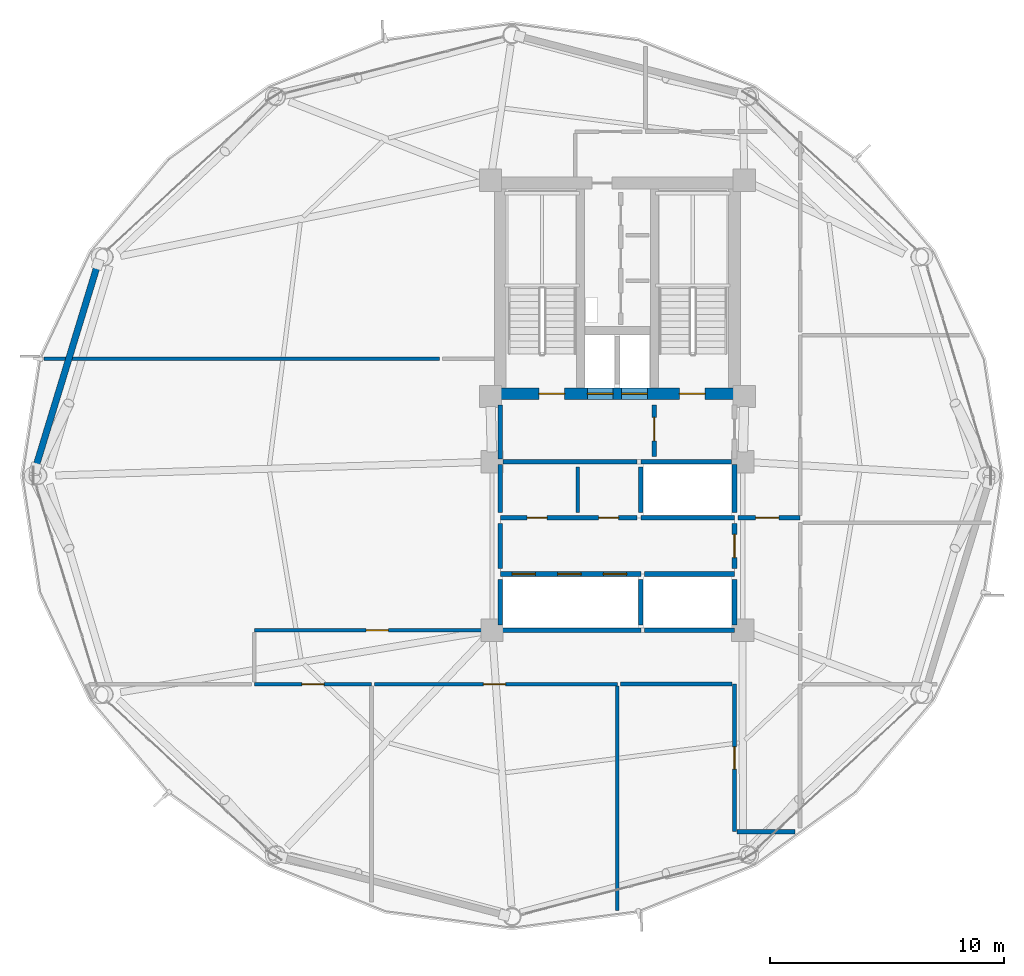
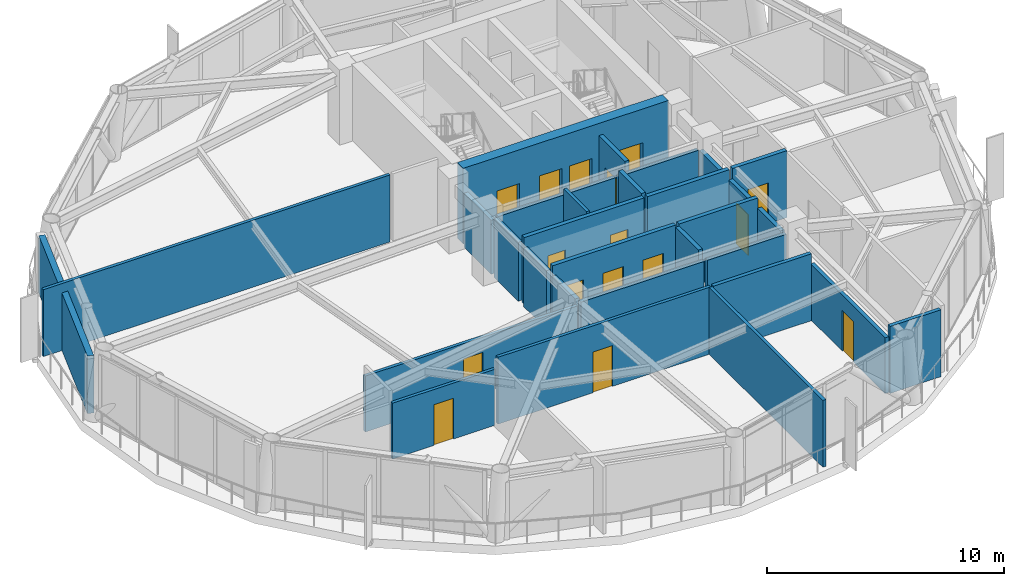
# One storey, part 21 of 26: 30 walls, 16 doors, 16 openings.
"""IFC4 building model written with IfcOpenShell, lengths in metres."""

from ifc_helpers import new_model, si_unit, direction, frame, frame_2d, origin, place, context, subcontext, project, spatial, rectangle, extrude, material, layer, layer_set, type_object, element, fill, save


model = new_model("IFC4")

# Units and contexts
model_context = context("Model", 3, precision=1e-05, world=origin(), true_north=direction((0.0, 1.0)))
body_context = subcontext(model_context, "Body", "Model", "MODEL_VIEW")
ifc_project = project(units=[si_unit("LENGTHUNIT", "METRE"), si_unit("AREAUNIT", "SQUARE_METRE"), si_unit("VOLUMEUNIT", "CUBIC_METRE"), si_unit("PLANEANGLEUNIT", "RADIAN"), si_unit("MASSUNIT", "GRAM", prefix="KILO")], contexts=[model_context])

# Site, building, storey
site_placement = place(None, origin())
site = spatial("IfcSite", under=ifc_project, at=site_placement, CompositionType="ELEMENT")
building_placement = place(site_placement, origin())
building = spatial("IfcBuilding", under=site, at=building_placement, Name="Varnakorn Sky Granary", CompositionType="ELEMENT")
storey_placement = place(building_placement, frame((0.0, 0.0, 169.5)))
storey = spatial("IfcBuildingStorey", under=building, at=storey_placement, Name="L42", CompositionType="ELEMENT", Elevation=169.5)

# Wall, openings, doors
ifc_material_1 = material(Name="Concrete C60/75", Category="concrete")
ifc_layer_1 = layer(ifc_material_1, 0.5, Name="Concrete C60/75")
ifc_layer_set_1 = layer_set([ifc_layer_1], Name="Concrete C60/75")
wall_type_1 = type_object("IfcWallType", Name="WT-CW-SHEAR-500", PredefinedType="SHEAR", material=ifc_layer_set_1)
wall_1_placement = place(storey_placement, frame((-2.0, 3.5, 0.0), z_axis=(0.0, 0.0, 1.0), x_axis=(1.0, 0.0, 0.0)))
wall_1 = element("IfcWall", 1, at=wall_1_placement, inside=storey, type_object=wall_type_1, Name="Core South Shear Wall L42", PredefinedType="SHEAR", context=body_context, shape_type="SweptSolid", body=[
    extrude(rectangle(XDim=10.0, YDim=0.5, at=frame_2d((5.0, 0.0))), origin(), (0.0, 0.0, 1.0), 3.89208984375),
])
opening_1_placement = place(wall_1_placement, frame((1.64990234375, 0.0, 0.0)))
opening_1 = element("IfcOpeningElement", 2, at=opening_1_placement, cuts=wall_1, Name="Opening FD-90", PredefinedType="OPENING", context=body_context, shape_type="SweptSolid", body=[
    extrude(rectangle(XDim=1.10009765625, YDim=2.14990234375, at=frame_2d((0.550048828125, 1.074951171875))), frame((0.0, 0.260009765625, 0.0), z_axis=(0.0, -1.0, 0.0), x_axis=(1.0, 0.0, 0.0)), (0.0, 0.0, 1.0), 0.52001953125),
])
opening_2_placement = place(wall_1_placement, frame((7.64990234375, 0.0, 0.0)))
opening_2 = element("IfcOpeningElement", 3, at=opening_2_placement, cuts=wall_1, Name="Opening FD-90", PredefinedType="OPENING", context=body_context, shape_type="SweptSolid", body=[
    extrude(rectangle(XDim=1.10009765625, YDim=2.14990234375, at=frame_2d((0.550048828125, 1.074951171875))), frame((0.0, 0.260009765625, 0.0), z_axis=(0.0, -1.0, 0.0), x_axis=(1.0, 0.0, 0.0)), (0.0, 0.0, 1.0), 0.52001953125),
])
opening_3_placement = place(wall_1_placement, frame((3.719970703125, 0.0, 0.0)))
opening_3 = element("IfcOpeningElement", 4, at=opening_3_placement, cuts=wall_1, Name="Opening LD-01", PredefinedType="OPENING", context=body_context, shape_type="SweptSolid", body=[
    extrude(rectangle(XDim=1.10009765625, YDim=2.199951171875, at=frame_2d((0.550048828125, 1.10009765625))), frame((0.0, 0.260009765625, 0.0), z_axis=(0.0, -1.0, 0.0), x_axis=(1.0, 0.0, 0.0)), (0.0, 0.0, 1.0), 0.52001953125),
])
opening_4_placement = place(wall_1_placement, frame((5.179931640625, 0.0, 0.0)))
opening_4 = element("IfcOpeningElement", 5, at=opening_4_placement, cuts=wall_1, Name="Opening LD-01", PredefinedType="OPENING", context=body_context, shape_type="SweptSolid", body=[
    extrude(rectangle(XDim=1.10009765625, YDim=2.199951171875, at=frame_2d((0.550048828125, 1.10009765625))), frame((0.0, 0.260009765625, 0.0), z_axis=(0.0, -1.0, 0.0), x_axis=(1.0, 0.0, 0.0)), (0.0, 0.0, 1.0), 0.52001953125),
])
ifc_material_2 = material(Name="Brushed Bronze Stainless Steel", Category="steel")
door_type_1 = type_object("IfcDoorType", Name="DR-LD-1100", OperationType="DOUBLE_DOOR_SLIDING", PredefinedType="DOOR", material=ifc_material_2)
door_1_placement = place(opening_3_placement, origin())
door_1 = element("IfcDoor", 6, at=door_1_placement, inside=storey, type_object=door_type_1, Name="Firefighting Lift FFL-1 Landing Door L42", OperationType="DOUBLE_DOOR_SLIDING", OverallHeight=2.199951171875, OverallWidth=1.10009765625, PredefinedType="DOOR", context=body_context, shape_type="SweptSolid", body=[
    extrude(rectangle(XDim=1.10009765625, YDim=2.199951171875, at=frame_2d((0.550048828125, 1.10009765625))), frame((0.0, 0.02490234375, 0.0), z_axis=(0.0, -1.0, 0.0), x_axis=(1.0, 0.0, 0.0)), (0.0, 0.0, 1.0), 0.050048828125),
])
fill(opening_3, door_1)
door_2_placement = place(opening_4_placement, origin())
door_2 = element("IfcDoor", 7, at=door_2_placement, inside=storey, type_object=door_type_1, Name="Firefighting Lift FFL-2 Landing Door L42", OperationType="DOUBLE_DOOR_SLIDING", OverallHeight=2.199951171875, OverallWidth=1.10009765625, PredefinedType="DOOR", context=body_context, shape_type="SweptSolid", body=[
    extrude(rectangle(XDim=1.10009765625, YDim=2.199951171875, at=frame_2d((0.550048828125, 1.10009765625))), frame((0.0, 0.02490234375, 0.0), z_axis=(0.0, -1.0, 0.0), x_axis=(1.0, 0.0, 0.0)), (0.0, 0.0, 1.0), 0.050048828125),
])
fill(opening_4, door_2)
ifc_material_3 = material(Name="Galvanised Painted Steel Leaf", Category="steel")
door_type_2 = type_object("IfcDoorType", Name="DR-STAIR-1100", OperationType="NOTDEFINED", PredefinedType="DOOR", material=ifc_material_3)
door_3_placement = place(opening_1_placement, origin())
door_3 = element("IfcDoor", 8, at=door_3_placement, inside=storey, type_object=door_type_2, Name="Stair ST-1 Protected Fire Door L42", OperationType="SINGLE_SWING_LEFT", OverallHeight=2.14990234375, OverallWidth=1.10009765625, PredefinedType="DOOR", context=body_context, shape_type="SweptSolid", body=[
    extrude(rectangle(XDim=1.10009765625, YDim=2.14990234375, at=frame_2d((0.550048828125, 1.074951171875))), frame((0.0, 0.02490234375, 0.0), z_axis=(0.0, -1.0, 0.0), x_axis=(1.0, 0.0, 0.0)), (0.0, 0.0, 1.0), 0.050048828125),
])
fill(opening_1, door_3)
door_4_placement = place(opening_2_placement, origin())
door_4 = element("IfcDoor", 9, at=door_4_placement, inside=storey, type_object=door_type_2, Name="Stair ST-2 Protected Fire Door L42", OperationType="SINGLE_SWING_RIGHT", OverallHeight=2.14990234375, OverallWidth=1.10009765625, PredefinedType="DOOR", context=body_context, shape_type="SweptSolid", body=[
    extrude(rectangle(XDim=1.10009765625, YDim=2.14990234375, at=frame_2d((0.550048828125, 1.074951171875))), frame((0.0, 0.02490234375, 0.0), z_axis=(0.0, -1.0, 0.0), x_axis=(1.0, 0.0, 0.0)), (0.0, 0.0, 1.0), 0.050048828125),
])
fill(opening_2, door_4)

# Wall
ifc_material_4 = material(Name="Precast concrete C40/50", Category="concrete")
ifc_layer_2 = layer(ifc_material_4, 0.280029296875, Name="Precast concrete C40/50")
ifc_layer_set_2 = layer_set([ifc_layer_2], Name="Precast concrete C40/50")
wall_type_2 = type_object("IfcWallType", Name="WT-EW-CRN-280", PredefinedType="SOLIDWALL", material=ifc_layer_set_2)
wall_2_placement = place(storey_placement, frame((-21.851806640625, 0.3212890625, 0.0), z_axis=(0.0, 0.0, 1.0), x_axis=(0.291970745692, 0.956427249539, 0.0)))
element("IfcWall", 10, at=wall_2_placement, inside=storey, type_object=wall_type_2, Name="Agritech Insulated Precast Facade Wall L42-P06", PredefinedType="SOLIDWALL", context=body_context, shape_type="SweptSolid", body=[
    extrude(rectangle(XDim=9.11181640625, YDim=0.280029296875, at=frame_2d((4.555908203125, 0.0))), origin(), (0.0, 0.0, 1.0), 2.969970703125),
])

# Wall, opening, door
ifc_material_5 = material(Name="Autoclaved Aerated Concrete Blockwork", Category="masonry")
ifc_layer_3 = layer(ifc_material_5, 0.199951171875, Name="Autoclaved Aerated Concrete Blockwork")
ifc_layer_set_3 = layer_set([ifc_layer_3], Name="Autoclaved Aerated Concrete Blockwork")
wall_type_3 = type_object("IfcWallType", Name="WT-FIRE-200", PredefinedType="MOVABLE", material=ifc_layer_set_3)
wall_3_placement = place(storey_placement, frame((4.580078125, 0.830078125, 0.0), z_axis=(0.0, 0.0, 1.0), x_axis=(0.0, 1.0, 0.0)))
wall_3 = element("IfcWall", 11, at=wall_3_placement, inside=storey, type_object=wall_type_3, Name="Interior Partition Wall L42-014", PredefinedType="MOVABLE", context=body_context, shape_type="SweptSolid", body=[
    extrude(rectangle(XDim=2.18994140625, YDim=0.199951171875, at=frame_2d((1.094970703125, 0.0))), origin(), (0.0, 0.0, 1.0), 3.449951171875),
])
opening_5_placement = place(wall_3_placement, frame((0.659912109375, 0.0, 0.0)))
opening_5 = element("IfcOpeningElement", 12, at=opening_5_placement, cuts=wall_3, Name="Opening FD-60", PredefinedType="OPENING", context=body_context, shape_type="SweptSolid", body=[
    extrude(rectangle(XDim=1.0, YDim=2.10009765625, at=frame_2d((0.5, 1.050048828125))), frame((0.0, 0.10986328125, 0.0), z_axis=(0.0, -1.0, 0.0), x_axis=(1.0, 0.0, 0.0)), (0.0, 0.0, 1.0), 0.219970703125),
])
ifc_material_6 = material(Name="Acoustic Timber Fire Leaf", Category="wood")
door_type_3 = type_object("IfcDoorType", Name="DR-FD60-1000", OperationType="NOTDEFINED", PredefinedType="DOOR", material=ifc_material_6)
door_5_placement = place(opening_5_placement, origin())
door_5 = element("IfcDoor", 13, at=door_5_placement, inside=storey, type_object=door_type_3, Name="Interior Door L42-014-1", OperationType="SINGLE_SWING_LEFT", OverallHeight=2.10009765625, OverallWidth=1.0, PredefinedType="DOOR", context=body_context, shape_type="SweptSolid", body=[
    extrude(rectangle(XDim=1.0, YDim=2.10009765625, at=frame_2d((0.5, 1.050048828125))), frame((0.0, 0.02490234375, 0.0), z_axis=(0.0, -1.0, 0.0), x_axis=(1.0, 0.0, 0.0)), (0.0, 0.0, 1.0), 0.050048828125),
])
fill(opening_5, door_5)

wall_4_placement = place(storey_placement, frame((8.0, -3.969970703125, 0.0), z_axis=(0.0, 0.0, 1.0), x_axis=(0.0, 1.0, 0.0)))
wall_4 = element("IfcWall", 14, at=wall_4_placement, inside=storey, type_object=wall_type_3, Name="Interior Partition Wall L42-016", PredefinedType="MOVABLE", context=body_context, shape_type="SweptSolid", body=[
    extrude(rectangle(XDim=1.93994140625, YDim=0.199951171875, at=frame_2d((0.969970703125, 0.0))), origin(), (0.0, 0.0, 1.0), 3.031982421875),
])
opening_6_placement = place(wall_4_placement, frame((0.469970703125, 0.0, 0.0)))
opening_6 = element("IfcOpeningElement", 15, at=opening_6_placement, cuts=wall_4, Name="Opening FD-60", PredefinedType="OPENING", context=body_context, shape_type="SweptSolid", body=[
    extrude(rectangle(XDim=1.0, YDim=2.10009765625, at=frame_2d((0.5, 1.050048828125))), frame((0.0, 0.10986328125, 0.0), z_axis=(0.0, -1.0, 0.0), x_axis=(1.0, 0.0, 0.0)), (0.0, 0.0, 1.0), 0.219970703125),
])
door_6_placement = place(opening_6_placement, origin())
door_6 = element("IfcDoor", 16, at=door_6_placement, inside=storey, type_object=door_type_3, Name="Interior Door L42-016-1", OperationType="SINGLE_SWING_LEFT", OverallHeight=2.10009765625, OverallWidth=1.0, PredefinedType="DOOR", context=body_context, shape_type="SweptSolid", body=[
    extrude(rectangle(XDim=1.0, YDim=2.10009765625, at=frame_2d((0.5, 1.050048828125))), frame((0.0, 0.02490234375, 0.0), z_axis=(0.0, -1.0, 0.0), x_axis=(1.0, 0.0, 0.0)), (0.0, 0.0, 1.0), 0.050048828125),
])
fill(opening_6, door_6)

# Wall, openings, doors
wall_5_placement = place(storey_placement, frame((-2.0, -1.800048828125, 0.0), z_axis=(0.0, 0.0, 1.0), x_axis=(1.0, 0.0, 0.0)))
wall_5 = element("IfcWall", 17, at=wall_5_placement, inside=storey, type_object=wall_type_3, Name="Interior Partition Wall L42-017", PredefinedType="MOVABLE", context=body_context, shape_type="SweptSolid", body=[
    extrude(rectangle(XDim=5.840087890625, YDim=0.199951171875, at=frame_2d((2.919921875, 0.0))), origin(), (0.0, 0.0, 1.0), 3.449951171875),
])
opening_7_placement = place(wall_5_placement, frame((1.14990234375, 0.0, 0.0)))
opening_7 = element("IfcOpeningElement", 18, at=opening_7_placement, cuts=wall_5, Name="Opening FD-60N", PredefinedType="OPENING", context=body_context, shape_type="SweptSolid", body=[
    extrude(rectangle(XDim=0.85009765625, YDim=2.10009765625, at=frame_2d((0.425048828125, 1.050048828125))), frame((0.0, 0.10986328125, 0.0), z_axis=(0.0, -1.0, 0.0), x_axis=(1.0, 0.0, 0.0)), (0.0, 0.0, 1.0), 0.219970703125),
])
opening_8_placement = place(wall_5_placement, frame((4.199951171875, 0.0, 0.0)))
opening_8 = element("IfcOpeningElement", 19, at=opening_8_placement, cuts=wall_5, Name="Opening FD-60N", PredefinedType="OPENING", context=body_context, shape_type="SweptSolid", body=[
    extrude(rectangle(XDim=0.85009765625, YDim=2.10009765625, at=frame_2d((0.425048828125, 1.050048828125))), frame((0.0, 0.10986328125, 0.0), z_axis=(0.0, -1.0, 0.0), x_axis=(1.0, 0.0, 0.0)), (0.0, 0.0, 1.0), 0.219970703125),
])
door_type_4 = type_object("IfcDoorType", Name="DR-FD60-850", OperationType="NOTDEFINED", PredefinedType="DOOR", material=ifc_material_6)
door_7_placement = place(opening_7_placement, origin())
door_7 = element("IfcDoor", 20, at=door_7_placement, inside=storey, type_object=door_type_4, Name="Interior Door L42-017-1", OperationType="SINGLE_SWING_RIGHT", OverallHeight=2.10009765625, OverallWidth=0.85009765625, PredefinedType="DOOR", context=body_context, shape_type="SweptSolid", body=[
    extrude(rectangle(XDim=0.85009765625, YDim=2.10009765625, at=frame_2d((0.425048828125, 1.050048828125))), frame((0.0, 0.02490234375, 0.0), z_axis=(0.0, -1.0, 0.0), x_axis=(1.0, 0.0, 0.0)), (0.0, 0.0, 1.0), 0.050048828125),
])
fill(opening_7, door_7)
door_8_placement = place(opening_8_placement, origin())
door_8 = element("IfcDoor", 21, at=door_8_placement, inside=storey, type_object=door_type_4, Name="Interior Door L42-017-2", OperationType="SINGLE_SWING_LEFT", OverallHeight=2.10009765625, OverallWidth=0.85009765625, PredefinedType="DOOR", context=body_context, shape_type="SweptSolid", body=[
    extrude(rectangle(XDim=0.85009765625, YDim=2.10009765625, at=frame_2d((0.425048828125, 1.050048828125))), frame((0.0, 0.02490234375, 0.0), z_axis=(0.0, -1.0, 0.0), x_axis=(1.0, 0.0, 0.0)), (0.0, 0.0, 1.0), 0.050048828125),
])
fill(opening_8, door_8)

# Wall, opening, door
wall_6_placement = place(storey_placement, frame((8.159912109375, -1.800048828125, 0.0), z_axis=(0.0, 0.0, 1.0), x_axis=(1.0, 0.0, 0.0)))
wall_6 = element("IfcWall", 22, at=wall_6_placement, inside=storey, type_object=wall_type_3, Name="Interior Partition Wall L42-018", PredefinedType="MOVABLE", context=body_context, shape_type="SweptSolid", body=[
    extrude(rectangle(XDim=2.64013671875, YDim=0.199951171875, at=frame_2d((1.320068359375, 0.0))), origin(), (0.0, 0.0, 1.0), 3.449951171875),
])
opening_9_placement = place(wall_6_placement, frame((0.739990234375, 0.0, 0.0)))
opening_9 = element("IfcOpeningElement", 23, at=opening_9_placement, cuts=wall_6, Name="Opening FD-60", PredefinedType="OPENING", context=body_context, shape_type="SweptSolid", body=[
    extrude(rectangle(XDim=1.0, YDim=2.10009765625, at=frame_2d((0.5, 1.050048828125))), frame((0.0, 0.10986328125, 0.0), z_axis=(0.0, -1.0, 0.0), x_axis=(1.0, 0.0, 0.0)), (0.0, 0.0, 1.0), 0.219970703125),
])
door_9_placement = place(opening_9_placement, origin())
door_9 = element("IfcDoor", 24, at=door_9_placement, inside=storey, type_object=door_type_3, Name="Interior Door L42-018-1", OperationType="SINGLE_SWING_RIGHT", OverallHeight=2.10009765625, OverallWidth=1.0, PredefinedType="DOOR", context=body_context, shape_type="SweptSolid", body=[
    extrude(rectangle(XDim=1.0, YDim=2.10009765625, at=frame_2d((0.5, 1.050048828125))), frame((0.0, 0.02490234375, 0.0), z_axis=(0.0, -1.0, 0.0), x_axis=(1.0, 0.0, 0.0)), (0.0, 0.0, 1.0), 0.050048828125),
])
fill(opening_9, door_9)

# Walls
wall_7_placement = place(storey_placement, frame((-1.8798828125, 0.60009765625, 0.0), z_axis=(0.0, 0.0, 1.0), x_axis=(1.0, 0.0, 0.0)))
element("IfcWall", 25, at=wall_7_placement, inside=storey, type_object=wall_type_3, Name="Interior Partition Wall L42-030", PredefinedType="MOVABLE", context=body_context, shape_type="SweptSolid", body=[
    extrude(rectangle(XDim=5.719970703125, YDim=0.199951171875, at=frame_2d((2.85986328125, 0.0))), origin(), (0.0, 0.0, 1.0), 3.031982421875),
])
wall_8_placement = place(storey_placement, frame((-2.0, 0.719970703125, 0.0), z_axis=(0.0, 0.0, 1.0), x_axis=(0.0, 1.0, 0.0)))
element("IfcWall", 26, at=wall_8_placement, inside=storey, type_object=wall_type_3, Name="Interior Partition Wall L42-031", PredefinedType="MOVABLE", context=body_context, shape_type="SweptSolid", body=[
    extrude(rectangle(XDim=2.300048828125, YDim=0.199951171875, at=frame_2d((1.14990234375, 0.0))), origin(), (0.0, 0.0, 1.0), 2.781982421875),
])
wall_9_placement = place(storey_placement, frame((-2.0, -3.969970703125, 0.0), z_axis=(0.0, 0.0, 1.0), x_axis=(0.0, 1.0, 0.0)))
element("IfcWall", 27, at=wall_9_placement, inside=storey, type_object=wall_type_3, Name="Interior Partition Wall L42-032", PredefinedType="MOVABLE", context=body_context, shape_type="SweptSolid", body=[
    extrude(rectangle(XDim=1.93994140625, YDim=0.199951171875, at=frame_2d((0.969970703125, 0.0))), origin(), (0.0, 0.0, 1.0), 3.031982421875),
])
wall_10_placement = place(storey_placement, frame((-2.0, -1.570068359375, 0.0), z_axis=(0.0, 0.0, 1.0), x_axis=(0.0, 1.0, 0.0)))
element("IfcWall", 28, at=wall_10_placement, inside=storey, type_object=wall_type_3, Name="Interior Partition Wall L42-034", PredefinedType="MOVABLE", context=body_context, shape_type="SweptSolid", body=[
    extrude(rectangle(XDim=2.050048828125, YDim=0.199951171875, at=frame_2d((1.02490234375, 0.0))), origin(), (0.0, 0.0, 1.0), 3.031982421875),
])

# Wall, opening, door
ifc_material_7 = material(Name="Gypsum Plasterboard on Steel Stud", Category="steel")
ifc_layer_4 = layer(ifc_material_7, 0.14990234375, Name="Gypsum Plasterboard on Steel Stud")
ifc_layer_set_4 = layer_set([ifc_layer_4], Name="Gypsum Plasterboard on Steel Stud")
wall_type_4 = type_object("IfcWallType", Name="WT-PART-150", PredefinedType="PARTITIONING", material=ifc_layer_set_4)
wall_11_placement = place(storey_placement, frame((-12.5, -8.89990234375, 0.0), z_axis=(0.0, 0.0, 1.0), x_axis=(1.0, 0.0, 0.0)))
wall_11 = element("IfcWall", 29, at=wall_11_placement, inside=storey, type_object=wall_type_4, Name="Interior Partition Wall L42-020", PredefinedType="PARTITIONING", context=body_context, shape_type="SweptSolid", body=[
    extrude(rectangle(XDim=5.0, YDim=0.14990234375, at=frame_2d((2.5, 0.0))), origin(), (0.0, 0.0, 1.0), 2.882080078125),
])
opening_10_placement = place(wall_11_placement, frame((2.02490234375, 0.0, 0.0)))
opening_10 = element("IfcOpeningElement", 30, at=opening_10_placement, cuts=wall_11, Name="Opening ID-95", PredefinedType="OPENING", context=body_context, shape_type="SweptSolid", body=[
    extrude(rectangle(XDim=0.949951171875, YDim=2.10009765625, at=frame_2d((0.47509765625, 1.050048828125))), frame((0.0, 0.0849609375, 0.0), z_axis=(0.0, -1.0, 0.0), x_axis=(1.0, 0.0, 0.0)), (0.0, 0.0, 1.0), 0.169921875),
])
ifc_material_8 = material(Name="Solid-Core Teak Veneer Leaf", Category="timber")
door_type_5 = type_object("IfcDoorType", Name="DR-INT-950", OperationType="NOTDEFINED", PredefinedType="DOOR", material=ifc_material_8)
door_10_placement = place(opening_10_placement, origin())
door_10 = element("IfcDoor", 31, at=door_10_placement, inside=storey, type_object=door_type_5, Name="Interior Door L42-020-1", OperationType="SINGLE_SWING_RIGHT", OverallHeight=2.10009765625, OverallWidth=0.949951171875, PredefinedType="DOOR", context=body_context, shape_type="SweptSolid", body=[
    extrude(rectangle(XDim=0.949951171875, YDim=2.10009765625, at=frame_2d((0.47509765625, 1.050048828125))), frame((0.0, 0.02490234375, 0.0), z_axis=(0.0, -1.0, 0.0), x_axis=(1.0, 0.0, 0.0)), (0.0, 0.0, 1.0), 0.050048828125),
])
fill(opening_10, door_10)

wall_12_placement = place(storey_placement, frame((-7.364990234375, -8.89990234375, 0.0), z_axis=(0.0, 0.0, 1.0), x_axis=(1.0, 0.0, 0.0)))
wall_12 = element("IfcWall", 32, at=wall_12_placement, inside=storey, type_object=wall_type_4, Name="Interior Partition Wall L42-021", PredefinedType="PARTITIONING", context=body_context, shape_type="SweptSolid", body=[
    extrude(rectangle(XDim=10.364990234375, YDim=0.14990234375, at=frame_2d((5.1826171875, 0.0))), origin(), (0.0, 0.0, 1.0), 3.449951171875),
])
opening_11_placement = place(wall_12_placement, frame((4.639892578125, 0.0, 0.0)))
opening_11 = element("IfcOpeningElement", 33, at=opening_11_placement, cuts=wall_12, Name="Opening ID-95", PredefinedType="OPENING", context=body_context, shape_type="SweptSolid", body=[
    extrude(rectangle(XDim=0.949951171875, YDim=2.10009765625, at=frame_2d((0.47509765625, 1.050048828125))), frame((0.0, 0.0849609375, 0.0), z_axis=(0.0, -1.0, 0.0), x_axis=(1.0, 0.0, 0.0)), (0.0, 0.0, 1.0), 0.169921875),
])
door_11_placement = place(opening_11_placement, origin())
door_11 = element("IfcDoor", 34, at=door_11_placement, inside=storey, type_object=door_type_5, Name="Interior Door L42-021-1", OperationType="SINGLE_SWING_LEFT", OverallHeight=2.10009765625, OverallWidth=0.949951171875, PredefinedType="DOOR", context=body_context, shape_type="SweptSolid", body=[
    extrude(rectangle(XDim=0.949951171875, YDim=2.10009765625, at=frame_2d((0.47509765625, 1.050048828125))), frame((0.0, 0.02490234375, 0.0), z_axis=(0.0, -1.0, 0.0), x_axis=(1.0, 0.0, 0.0)), (0.0, 0.0, 1.0), 0.050048828125),
])
fill(opening_11, door_11)

wall_13_placement = place(storey_placement, frame((-2.159912109375, -6.60009765625, 0.0), z_axis=(0.0, 0.0, 1.0), x_axis=(-1.0, 0.0, 0.0)))
wall_13 = element("IfcWall", 35, at=wall_13_placement, inside=storey, type_object=wall_type_4, Name="Interior Partition Wall L42-023", PredefinedType="PARTITIONING", context=body_context, shape_type="SweptSolid", body=[
    extrude(rectangle(XDim=10.340087890625, YDim=0.14990234375, at=frame_2d((5.169921875, 0.0))), origin(), (0.0, 0.0, 1.0), 2.882080078125),
])
opening_12_placement = place(wall_13_placement, frame((4.614990234375, 0.0, 0.0)))
opening_12 = element("IfcOpeningElement", 36, at=opening_12_placement, cuts=wall_13, Name="Opening ID-95", PredefinedType="OPENING", context=body_context, shape_type="SweptSolid", body=[
    extrude(rectangle(XDim=0.949951171875, YDim=2.10009765625, at=frame_2d((0.47509765625, 1.050048828125))), frame((0.0, 0.0849609375, 0.0), z_axis=(0.0, -1.0, 0.0), x_axis=(1.0, 0.0, 0.0)), (0.0, 0.0, 1.0), 0.169921875),
])
door_12_placement = place(opening_12_placement, origin())
door_12 = element("IfcDoor", 37, at=door_12_placement, inside=storey, type_object=door_type_5, Name="Interior Door L42-023-1", OperationType="SINGLE_SWING_LEFT", OverallHeight=2.10009765625, OverallWidth=0.949951171875, PredefinedType="DOOR", context=body_context, shape_type="SweptSolid", body=[
    extrude(rectangle(XDim=0.949951171875, YDim=2.10009765625, at=frame_2d((0.47509765625, 1.050048828125))), frame((0.0, 0.02490234375, 0.0), z_axis=(0.0, -1.0, 0.0), x_axis=(1.0, 0.0, 0.0)), (0.0, 0.0, 1.0), 0.050048828125),
])
fill(opening_12, door_12)

# Walls
wall_14_placement = place(storey_placement, frame((1.300048828125, -1.570068359375, 0.0), z_axis=(0.0, 0.0, 1.0), x_axis=(0.0, 1.0, 0.0)))
element("IfcWall", 38, at=wall_14_placement, inside=storey, type_object=wall_type_4, Name="Interior Partition Wall L42-033", PredefinedType="PARTITIONING", context=body_context, shape_type="SweptSolid", body=[
    extrude(rectangle(XDim=1.940185546875, YDim=0.14990234375, at=frame_2d((0.97021484375, 0.0))), origin(), (0.0, 0.0, 1.0), 3.449951171875),
])
wall_15_placement = place(storey_placement, frame((3.0, -8.985107421875, 0.0), z_axis=(0.0, 0.0, 1.0), x_axis=(0.0, -1.0, 0.0)))
element("IfcWall", 39, at=wall_15_placement, inside=storey, type_object=wall_type_4, Name="Interior Partition Wall L42-039", PredefinedType="PARTITIONING", context=body_context, shape_type="SweptSolid", body=[
    extrude(rectangle(XDim=9.5908203125, YDim=0.14990234375, at=frame_2d((4.79541015625, 0.0))), origin(), (0.0, 0.0, 1.0), 3.449951171875),
])
wall_16_placement = place(storey_placement, frame((-21.48388671875, 5.0, 0.0), z_axis=(0.0, 0.0, 1.0), x_axis=(1.0, 0.0, 0.0)))
element("IfcWall", 40, at=wall_16_placement, inside=storey, type_object=wall_type_4, Name="Interior Partition Wall L42-045", PredefinedType="PARTITIONING", context=body_context, shape_type="SweptSolid", body=[
    extrude(rectangle(XDim=16.8837890625, YDim=0.14990234375, at=frame_2d((8.44189453125, 0.0))), origin(), (0.0, 0.0, 1.0), 3.449951171875),
])

# Wall, opening, door
ifc_material_9 = material(Name="Moisture-Resistant Gypsum on Stud", Category="gypsum")
ifc_layer_5 = layer(ifc_material_9, 0.179931640625, Name="Moisture-Resistant Gypsum on Stud")
ifc_layer_set_5 = layer_set([ifc_layer_5], Name="Moisture-Resistant Gypsum on Stud")
wall_type_5 = type_object("IfcWallType", Name="WT-PLUMB-180", PredefinedType="PLUMBINGWALL", material=ifc_layer_set_5)
wall_17_placement = place(storey_placement, frame((8.0, -8.89990234375, 0.0), z_axis=(0.0, 0.0, 1.0), x_axis=(0.0, -1.0, 0.0)))
wall_17 = element("IfcWall", 41, at=wall_17_placement, inside=storey, type_object=wall_type_5, Name="Interior Partition Wall L42-022", PredefinedType="PLUMBINGWALL", context=body_context, shape_type="SweptSolid", body=[
    extrude(rectangle(XDim=6.300048828125, YDim=0.179931640625, at=frame_2d((3.14990234375, 0.0))), origin(), (0.0, 0.0, 1.0), 2.882080078125),
])
opening_13_placement = place(wall_17_placement, frame((2.675048828125, 0.0, 0.0)))
opening_13 = element("IfcOpeningElement", 42, at=opening_13_placement, cuts=wall_17, Name="Opening ID-95", PredefinedType="OPENING", context=body_context, shape_type="SweptSolid", body=[
    extrude(rectangle(XDim=0.949951171875, YDim=2.10009765625, at=frame_2d((0.47509765625, 1.050048828125))), frame((0.0, 0.10009765625, 0.0), z_axis=(0.0, -1.0, 0.0), x_axis=(1.0, 0.0, 0.0)), (0.0, 0.0, 1.0), 0.199951171875),
])
door_13_placement = place(opening_13_placement, origin())
door_13 = element("IfcDoor", 43, at=door_13_placement, inside=storey, type_object=door_type_5, Name="Interior Door L42-022-1", OperationType="SINGLE_SWING_RIGHT", OverallHeight=2.10009765625, OverallWidth=0.949951171875, PredefinedType="DOOR", context=body_context, shape_type="SweptSolid", body=[
    extrude(rectangle(XDim=0.949951171875, YDim=2.10009765625, at=frame_2d((0.47509765625, 1.050048828125))), frame((0.0, 0.02490234375, 0.0), z_axis=(0.0, -1.0, 0.0), x_axis=(1.0, 0.0, 0.0)), (0.0, 0.0, 1.0), 0.050048828125),
])
fill(opening_13, door_13)

# Walls
wall_18_placement = place(storey_placement, frame((3.135009765625, -8.89990234375, 0.0), z_axis=(0.0, 0.0, 1.0), x_axis=(1.0, 0.0, 0.0)))
element("IfcWall", 44, at=wall_18_placement, inside=storey, type_object=wall_type_5, Name="Interior Partition Wall L42-041", PredefinedType="PLUMBINGWALL", context=body_context, shape_type="SweptSolid", body=[
    extrude(rectangle(XDim=4.764892578125, YDim=0.179931640625, at=frame_2d((2.38232421875, 0.0))), origin(), (0.0, 0.0, 1.0), 3.449951171875),
])
wall_19_placement = place(storey_placement, frame((8.10009765625, -15.199951171875, 0.0), z_axis=(0.0, 0.0, 1.0), x_axis=(1.0, 0.0, 0.0)))
element("IfcWall", 45, at=wall_19_placement, inside=storey, type_object=wall_type_5, Name="Interior Partition Wall L42-042", PredefinedType="PLUMBINGWALL", context=body_context, shape_type="SweptSolid", body=[
    extrude(rectangle(XDim=2.48291015625, YDim=0.179931640625, at=frame_2d((1.241455078125, 0.0))), origin(), (0.0, 0.0, 1.0), 3.449951171875),
])
ifc_layer_6 = layer(ifc_material_5, 0.199951171875, Name="Autoclaved Aerated Concrete Blockwork")
ifc_layer_set_6 = layer_set([ifc_layer_6], Name="Autoclaved Aerated Concrete Blockwork")
wall_type_6 = type_object("IfcWallType", Name="WT-SHAFT-200", PredefinedType="SOLIDWALL", material=ifc_layer_set_6)
wall_20_placement = place(storey_placement, frame((4.0, 0.60009765625, 0.0), z_axis=(0.0, 0.0, 1.0), x_axis=(1.0, 0.0, 0.0)))
element("IfcWall", 46, at=wall_20_placement, inside=storey, type_object=wall_type_6, Name="Interior Partition Wall L42-002", PredefinedType="SOLIDWALL", context=body_context, shape_type="SweptSolid", body=[
    extrude(rectangle(XDim=3.8798828125, YDim=0.199951171875, at=frame_2d((1.93994140625, 0.0))), origin(), (0.0, 0.0, 1.0), 3.031982421875),
])
wall_21_placement = place(storey_placement, frame((4.0, -1.800048828125, 0.0), z_axis=(0.0, 0.0, 1.0), x_axis=(1.0, 0.0, 0.0)))
element("IfcWall", 47, at=wall_21_placement, inside=storey, type_object=wall_type_6, Name="Interior Partition Wall L42-003", PredefinedType="SOLIDWALL", context=body_context, shape_type="SweptSolid", body=[
    extrude(rectangle(XDim=4.0, YDim=0.199951171875, at=frame_2d((2.0, 0.0))), origin(), (0.0, 0.0, 1.0), 3.449951171875),
])
wall_22_placement = place(storey_placement, frame((4.0, -1.570068359375, 0.0), z_axis=(0.0, 0.0, 1.0), x_axis=(0.0, 1.0, 0.0)))
element("IfcWall", 48, at=wall_22_placement, inside=storey, type_object=wall_type_6, Name="Interior Partition Wall L42-004", PredefinedType="SOLIDWALL", context=body_context, shape_type="SweptSolid", body=[
    extrude(rectangle(XDim=1.940185546875, YDim=0.199951171875, at=frame_2d((0.97021484375, 0.0))), origin(), (0.0, 0.0, 1.0), 3.449951171875),
])
wall_23_placement = place(storey_placement, frame((8.0, -1.570068359375, 0.0), z_axis=(0.0, 0.0, 1.0), x_axis=(0.0, 1.0, 0.0)))
element("IfcWall", 49, at=wall_23_placement, inside=storey, type_object=wall_type_6, Name="Interior Partition Wall L42-005", PredefinedType="SOLIDWALL", context=body_context, shape_type="SweptSolid", body=[
    extrude(rectangle(XDim=2.050048828125, YDim=0.199951171875, at=frame_2d((1.02490234375, 0.0))), origin(), (0.0, 0.0, 1.0), 3.031982421875),
])

# Wall, openings, doors
wall_24_placement = place(storey_placement, frame((-2.0, -4.199951171875, 0.0), z_axis=(0.0, 0.0, 1.0), x_axis=(1.0, 0.0, 0.0)))
wall_24 = element("IfcWall", 50, at=wall_24_placement, inside=storey, type_object=wall_type_6, Name="Interior Partition Wall L42-006", PredefinedType="SOLIDWALL", context=body_context, shape_type="SweptSolid", body=[
    extrude(rectangle(XDim=6.0, YDim=0.199951171875, at=frame_2d((3.0, 0.0))), origin(), (0.0, 0.0, 1.0), 3.449951171875),
])
opening_14_placement = place(wall_24_placement, frame((0.5, 0.0, 0.0)))
opening_14 = element("IfcOpeningElement", 51, at=opening_14_placement, cuts=wall_24, Name="Opening LD-03", PredefinedType="OPENING", context=body_context, shape_type="SweptSolid", body=[
    extrude(rectangle(XDim=1.0, YDim=2.199951171875, at=frame_2d((0.5, 1.10009765625))), frame((0.0, 0.10986328125, 0.0), z_axis=(0.0, -1.0, 0.0), x_axis=(1.0, 0.0, 0.0)), (0.0, 0.0, 1.0), 0.219970703125),
])
opening_15_placement = place(wall_24_placement, frame((2.449951171875, 0.0, 0.0)))
opening_15 = element("IfcOpeningElement", 52, at=opening_15_placement, cuts=wall_24, Name="Opening LD-03", PredefinedType="OPENING", context=body_context, shape_type="SweptSolid", body=[
    extrude(rectangle(XDim=1.0, YDim=2.199951171875, at=frame_2d((0.5, 1.10009765625))), frame((0.0, 0.10986328125, 0.0), z_axis=(0.0, -1.0, 0.0), x_axis=(1.0, 0.0, 0.0)), (0.0, 0.0, 1.0), 0.219970703125),
])
opening_16_placement = place(wall_24_placement, frame((4.39990234375, 0.0, 0.0)))
opening_16 = element("IfcOpeningElement", 53, at=opening_16_placement, cuts=wall_24, Name="Opening LD-03", PredefinedType="OPENING", context=body_context, shape_type="SweptSolid", body=[
    extrude(rectangle(XDim=1.0, YDim=2.199951171875, at=frame_2d((0.5, 1.10009765625))), frame((0.0, 0.10986328125, 0.0), z_axis=(0.0, -1.0, 0.0), x_axis=(1.0, 0.0, 0.0)), (0.0, 0.0, 1.0), 0.219970703125),
])
door_type_6 = type_object("IfcDoorType", Name="DR-LD-1000", OperationType="DOUBLE_DOOR_SLIDING", PredefinedType="DOOR", material=ifc_material_2)
door_14_placement = place(opening_14_placement, origin())
door_14 = element("IfcDoor", 54, at=door_14_placement, inside=storey, type_object=door_type_6, Name="Passenger Lift PL-M1 Sliding Landing Door L42", OperationType="DOUBLE_DOOR_SLIDING", OverallHeight=2.199951171875, OverallWidth=1.0, PredefinedType="DOOR", context=body_context, shape_type="SweptSolid", body=[
    extrude(rectangle(XDim=1.0, YDim=2.199951171875, at=frame_2d((0.5, 1.10009765625))), frame((0.0, 0.02490234375, 0.0), z_axis=(0.0, -1.0, 0.0), x_axis=(1.0, 0.0, 0.0)), (0.0, 0.0, 1.0), 0.050048828125),
])
fill(opening_14, door_14)
door_15_placement = place(opening_15_placement, origin())
door_15 = element("IfcDoor", 55, at=door_15_placement, inside=storey, type_object=door_type_6, Name="Passenger Lift PL-M2 Sliding Landing Door L42", OperationType="DOUBLE_DOOR_SLIDING", OverallHeight=2.199951171875, OverallWidth=1.0, PredefinedType="DOOR", context=body_context, shape_type="SweptSolid", body=[
    extrude(rectangle(XDim=1.0, YDim=2.199951171875, at=frame_2d((0.5, 1.10009765625))), frame((0.0, 0.02490234375, 0.0), z_axis=(0.0, -1.0, 0.0), x_axis=(1.0, 0.0, 0.0)), (0.0, 0.0, 1.0), 0.050048828125),
])
fill(opening_15, door_15)
door_16_placement = place(opening_16_placement, origin())
door_16 = element("IfcDoor", 56, at=door_16_placement, inside=storey, type_object=door_type_6, Name="Passenger Lift PL-M3 Sliding Landing Door L42", OperationType="DOUBLE_DOOR_SLIDING", OverallHeight=2.199951171875, OverallWidth=1.0, PredefinedType="DOOR", context=body_context, shape_type="SweptSolid", body=[
    extrude(rectangle(XDim=1.0, YDim=2.199951171875, at=frame_2d((0.5, 1.10009765625))), frame((0.0, 0.02490234375, 0.0), z_axis=(0.0, -1.0, 0.0), x_axis=(1.0, 0.0, 0.0)), (0.0, 0.0, 1.0), 0.050048828125),
])
fill(opening_16, door_16)

# Walls
wall_25_placement = place(storey_placement, frame((-2.0, -6.60009765625, 0.0), z_axis=(0.0, 0.0, 1.0), x_axis=(1.0, 0.0, 0.0)))
element("IfcWall", 57, at=wall_25_placement, inside=storey, type_object=wall_type_6, Name="Interior Partition Wall L42-007", PredefinedType="SOLIDWALL", context=body_context, shape_type="SweptSolid", body=[
    extrude(rectangle(XDim=6.0, YDim=0.199951171875, at=frame_2d((3.0, 0.0))), origin(), (0.0, 0.0, 1.0), 3.031982421875),
])
wall_26_placement = place(storey_placement, frame((-2.0, -6.3701171875, 0.0), z_axis=(0.0, 0.0, 1.0), x_axis=(0.0, 1.0, 0.0)))
element("IfcWall", 58, at=wall_26_placement, inside=storey, type_object=wall_type_6, Name="Interior Partition Wall L42-008", PredefinedType="SOLIDWALL", context=body_context, shape_type="SweptSolid", body=[
    extrude(rectangle(XDim=1.940185546875, YDim=0.199951171875, at=frame_2d((0.97021484375, 0.0))), origin(), (0.0, 0.0, 1.0), 3.031982421875),
])
wall_27_placement = place(storey_placement, frame((4.159912109375, -4.199951171875, 0.0), z_axis=(0.0, 0.0, 1.0), x_axis=(1.0, 0.0, 0.0)))
element("IfcWall", 59, at=wall_27_placement, inside=storey, type_object=wall_type_6, Name="Interior Partition Wall L42-009", PredefinedType="SOLIDWALL", context=body_context, shape_type="SweptSolid", body=[
    extrude(rectangle(XDim=3.840087890625, YDim=0.199951171875, at=frame_2d((1.919921875, 0.0))), origin(), (0.0, 0.0, 1.0), 3.449951171875),
])
wall_28_placement = place(storey_placement, frame((4.159912109375, -6.60009765625, 0.0), z_axis=(0.0, 0.0, 1.0), x_axis=(1.0, 0.0, 0.0)))
element("IfcWall", 60, at=wall_28_placement, inside=storey, type_object=wall_type_6, Name="Interior Partition Wall L42-010", PredefinedType="SOLIDWALL", context=body_context, shape_type="SweptSolid", body=[
    extrude(rectangle(XDim=3.840087890625, YDim=0.199951171875, at=frame_2d((1.919921875, 0.0))), origin(), (0.0, 0.0, 1.0), 3.031982421875),
])
wall_29_placement = place(storey_placement, frame((4.0, -6.3701171875, 0.0), z_axis=(0.0, 0.0, 1.0), x_axis=(0.0, 1.0, 0.0)))
element("IfcWall", 61, at=wall_29_placement, inside=storey, type_object=wall_type_6, Name="Interior Partition Wall L42-011", PredefinedType="SOLIDWALL", context=body_context, shape_type="SweptSolid", body=[
    extrude(rectangle(XDim=1.940185546875, YDim=0.199951171875, at=frame_2d((0.97021484375, 0.0))), origin(), (0.0, 0.0, 1.0), 3.449951171875),
])
wall_30_placement = place(storey_placement, frame((8.0, -6.3701171875, 0.0), z_axis=(0.0, 0.0, 1.0), x_axis=(0.0, 1.0, 0.0)))
element("IfcWall", 62, at=wall_30_placement, inside=storey, type_object=wall_type_6, Name="Interior Partition Wall L42-012", PredefinedType="SOLIDWALL", context=body_context, shape_type="SweptSolid", body=[
    extrude(rectangle(XDim=1.940185546875, YDim=0.199951171875, at=frame_2d((0.97021484375, 0.0))), origin(), (0.0, 0.0, 1.0), 3.031982421875),
])

save(model, "model.ifc")
